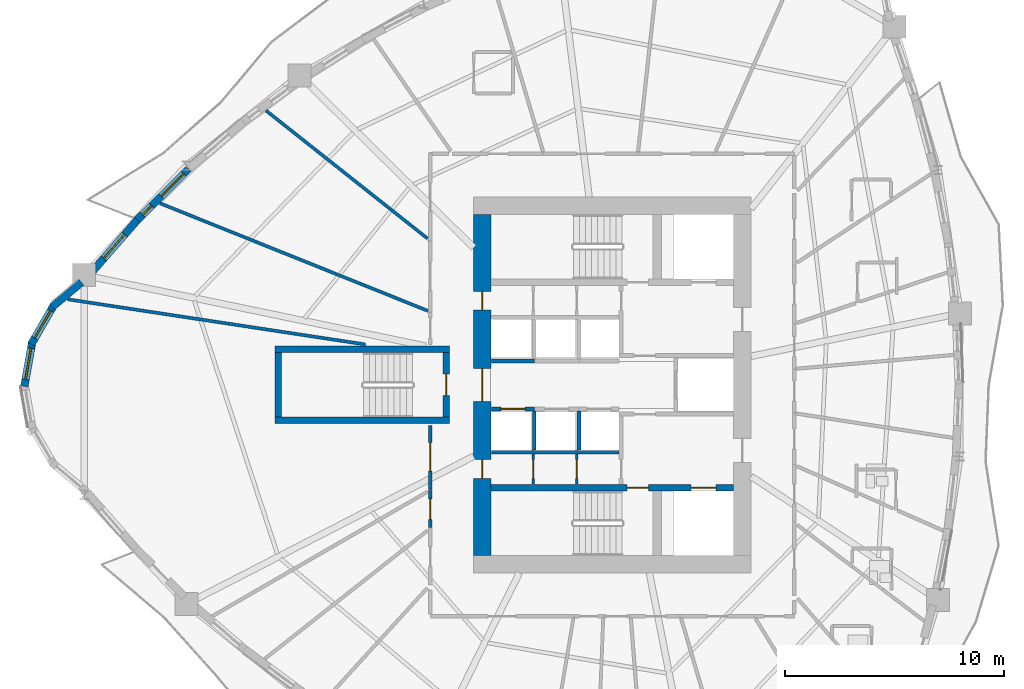
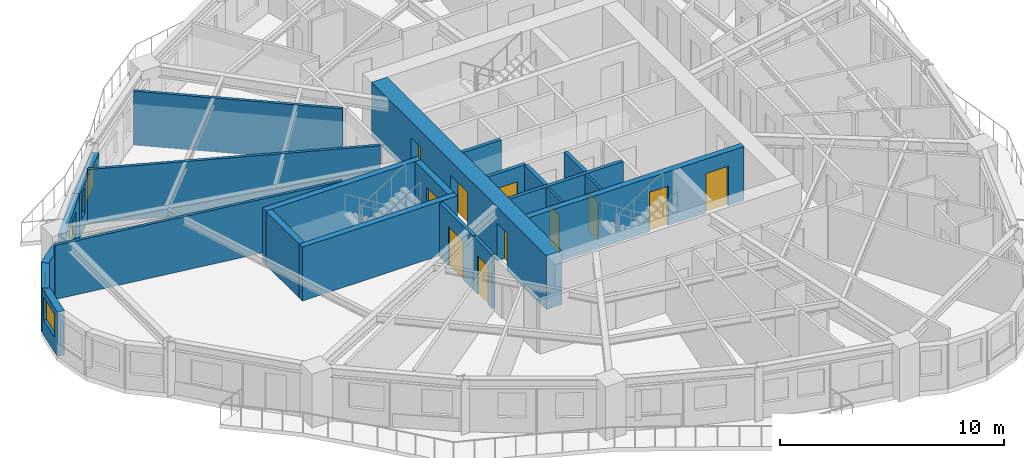
# One storey, part 4 of 13: 23 walls, 11 doors, 5 windows, 16 openings.
"""IFC4 building model written with IfcOpenShell, lengths in metres."""

from ifc_helpers import new_model, si_unit, direction, frame, frame_2d, origin, place, context, subcontext, project, spatial, rectangle, extrude, source, transform, mapped, material, layer, layer_set, type_object, element, fill, save


model = new_model("IFC4")

# Units and contexts
model_context = context("Model", 3, precision=1e-05, world=origin(), true_north=direction((0.0, 1.0)))
body_context = subcontext(model_context, "Body", "Model", "MODEL_VIEW")
ifc_project = project(units=[si_unit("LENGTHUNIT", "METRE"), si_unit("AREAUNIT", "SQUARE_METRE"), si_unit("VOLUMEUNIT", "CUBIC_METRE"), si_unit("PLANEANGLEUNIT", "RADIAN"), si_unit("MASSUNIT", "GRAM", prefix="KILO")], contexts=[model_context])

# Site, building, storey
site_placement = place(None, origin())
site = spatial("IfcSite", under=ifc_project, at=site_placement, CompositionType="ELEMENT")
building_placement = place(site_placement, origin())
building = spatial("IfcBuilding", under=site, at=building_placement, Name="Qafzar Sky-Pleat Residences", CompositionType="ELEMENT")
storey_placement = place(building_placement, frame((0.0, 0.0, 55.800048828125)))
storey = spatial("IfcBuildingStorey", under=building, at=storey_placement, Name="L16", CompositionType="ELEMENT", Elevation=55.800048828125)

# Wall, opening, door
ifc_material_1 = material(Name="Acoustic gypsum plasterboard partition", Category="gypsum")
ifc_layer_1 = layer(ifc_material_1, 0.159912109375)
ifc_layer_set_1 = layer_set([ifc_layer_1], Name="Acoustic gypsum plasterboard partition")
wall_type_1 = type_object("IfcWallType", Name="PART-COR-160", PredefinedType="PARTITIONING", material=ifc_layer_set_1)
wall_1_placement = place(storey_placement, frame((22.02001953125, 21.16796875, 0.0), z_axis=(0.0, 0.0, 1.0), x_axis=(0.0, 1.0, 0.0)))
wall_1 = element("IfcWall", 1, at=wall_1_placement, inside=storey, type_object=wall_type_1, Name="L16 Partition Wall PART-L16-PW-011", PredefinedType="PARTITIONING", context=body_context, shape_type="SweptSolid", body=[
    extrude(rectangle(XDim=2.98193359375, YDim=0.159912109375, at=frame_2d((1.490966796875, 0.0))), origin(), (0.0, 0.0, 1.0), 2.93994140625),
])
opening_1_placement = place(wall_1_placement, frame((0.887451171875, 0.0, 0.0)))
opening_1 = element("IfcOpeningElement", 2, at=opening_1_placement, cuts=wall_1, Name="Opening ID-05", PredefinedType="OPENING", context=body_context, shape_type="SweptSolid", body=[
    extrude(rectangle(XDim=1.300048828125, YDim=2.10009765625, at=frame_2d((0.64990234375, 1.050048828125))), frame((0.0, 0.08984375, 0.0), z_axis=(0.0, -1.0, 0.0), x_axis=(1.0, 0.0, 0.0)), (0.0, 0.0, 1.0), 0.179931640625),
])
ifc_material_2 = material(Name="Timber-faced fire door", Category="wood")
door_type_1 = type_object("IfcDoorType", Name="DR-LNG-1300", OperationType="DOUBLE_DOOR_SINGLE_SWING", PredefinedType="DOOR", material=ifc_material_2)
shared_shape_1 = source(origin(), body_context, "Body", "SweptSolid", [
    extrude(rectangle(XDim=1.300048828125, YDim=2.10009765625, at=frame_2d((0.64990234375, 1.050048828125))), frame((0.0, 0.02490234375, 0.0), z_axis=(0.0, -1.0, 0.0), x_axis=(1.0, 0.0, 0.0)), (0.0, 0.0, 1.0), 0.050048828125),
])
door_1_placement = place(opening_1_placement, origin())
door_1 = element("IfcDoor", 3, at=door_1_placement, inside=storey, type_object=door_type_1, Name="L16 Academic Seminar Room Door", OperationType="DOUBLE_DOOR_SINGLE_SWING", OverallHeight=2.10009765625, OverallWidth=1.300048828125, PredefinedType="DOOR", context=body_context, shape_type="MappedRepresentation", body=[
    mapped(shared_shape_1, transform((0.0, 0.0, 0.0), x_axis=(1.0, 0.0, 0.0), y_axis=(0.0, 1.0, 0.0), z_axis=(0.0, 0.0, 1.0), scale=1.0)),
])
fill(opening_1, door_1)

wall_2_placement = place(storey_placement, frame((22.02001953125, 19.470947265625, 0.0), z_axis=(0.0, 0.0, 1.0), x_axis=(0.0, 1.0, 0.0)))
wall_2 = element("IfcWall", 4, at=wall_2_placement, inside=storey, type_object=wall_type_1, Name="L16 Partition Wall PART-L16-PW-028", PredefinedType="PARTITIONING", context=body_context, shape_type="SweptSolid", body=[
    extrude(rectangle(XDim=1.68212890625, YDim=0.159912109375, at=frame_2d((0.841064453125, 0.0))), origin(), (0.0, 0.0, 1.0), 2.93994140625),
])
opening_2_placement = place(wall_2_placement, frame((0.3798828125, 0.0, 0.0)))
opening_2 = element("IfcOpeningElement", 5, at=opening_2_placement, cuts=wall_2, Name="Opening ID-04", PredefinedType="OPENING", context=body_context, shape_type="SweptSolid", body=[
    extrude(rectangle(XDim=0.919921875, YDim=2.10009765625, at=frame_2d((0.4599609375, 1.050048828125))), frame((0.0, 0.08984375, 0.0), z_axis=(0.0, -1.0, 0.0), x_axis=(1.0, 0.0, 0.0)), (0.0, 0.0, 1.0), 0.179931640625),
])
door_type_2 = type_object("IfcDoorType", Name="DR-BED-920", OperationType="NOTDEFINED", PredefinedType="DOOR", material=ifc_material_2)
shared_shape_2 = source(origin(), body_context, "Body", "SweptSolid", [
    extrude(rectangle(XDim=0.919921875, YDim=2.10009765625, at=frame_2d((0.4599609375, 1.050048828125))), frame((0.0, 0.02490234375, 0.0), z_axis=(0.0, -1.0, 0.0), x_axis=(1.0, 0.0, 0.0)), (0.0, 0.0, 1.0), 0.050048828125),
])
door_2_placement = place(opening_2_placement, origin())
door_2 = element("IfcDoor", 6, at=door_2_placement, inside=storey, type_object=door_type_2, Name="L16 Co-Living Bedroom 10 Door", OperationType="SINGLE_SWING_RIGHT", OverallHeight=2.10009765625, OverallWidth=0.919921875, PredefinedType="DOOR", context=body_context, shape_type="MappedRepresentation", body=[
    mapped(shared_shape_2, transform((0.0, 0.0, 0.0), x_axis=(1.0, 0.0, 0.0), y_axis=(0.0, 1.0, 0.0), z_axis=(0.0, 0.0, 1.0), scale=1.0)),
])
fill(opening_2, door_2)

# Wall
ifc_material_3 = material(Name="Concrete blockwork partition", Category="masonry")
ifc_layer_2 = layer(ifc_material_3, 0.179931640625)
ifc_layer_set_2 = layer_set([ifc_layer_2], Name="Concrete blockwork partition")
wall_type_2 = type_object("IfcWallType", Name="PART-SHAFT-180", PredefinedType="PARTITIONING", material=ifc_layer_set_2)
wall_3_placement = place(storey_placement, frame((24.81005859375, 22.919921875, 0.0), z_axis=(0.0, 0.0, 1.0), x_axis=(1.0, 0.0, 0.0)))
element("IfcWall", 7, at=wall_3_placement, inside=storey, type_object=wall_type_2, Name="L16 Partition Wall PART-L16-P13-S", PredefinedType="PARTITIONING", context=body_context, shape_type="SweptSolid", body=[
    extrude(rectangle(XDim=5.83984375, YDim=0.179931640625, at=frame_2d((2.919921875, 0.0))), origin(), (0.0, 0.0, 1.0), 2.93994140625),
])

# Wall, opening, door
wall_4_placement = place(storey_placement, frame((24.81005859375, 24.89990234375, 0.0), z_axis=(0.0, 0.0, 1.0), x_axis=(1.0, 0.0, 0.0)))
wall_4 = element("IfcWall", 8, at=wall_4_placement, inside=storey, type_object=wall_type_2, Name="L16 Partition Wall PART-L16-P1-N", PredefinedType="PARTITIONING", context=body_context, shape_type="SweptSolid", body=[
    extrude(rectangle(XDim=1.96484375, YDim=0.179931640625, at=frame_2d((0.982421875, 0.0))), origin(), (0.0, 0.0, 1.0), 2.93994140625),
])
opening_3_placement = place(wall_4_placement, frame((0.4326171875, 0.0, 0.0)))
opening_3 = element("IfcOpeningElement", 9, at=opening_3_placement, cuts=wall_4, Name="Opening LD-01", PredefinedType="OPENING", context=body_context, shape_type="SweptSolid", body=[
    extrude(rectangle(XDim=1.10009765625, YDim=2.14990234375, at=frame_2d((0.550048828125, 1.074951171875))), frame((0.0, 0.10009765625, 0.0), z_axis=(0.0, -1.0, 0.0), x_axis=(1.0, 0.0, 0.0)), (0.0, 0.0, 1.0), 0.199951171875),
])
ifc_material_4 = material(Name="Stainless steel sliding landing door", Category="steel")
door_type_3 = type_object("IfcDoorType", Name="DR-LIFT-P", OperationType="DOUBLE_DOOR_SLIDING", PredefinedType="DOOR", material=ifc_material_4)
shared_shape_3 = source(origin(), body_context, "Body", "SweptSolid", [
    extrude(rectangle(XDim=1.10009765625, YDim=2.14990234375, at=frame_2d((0.550048828125, 1.074951171875))), frame((0.0, 0.02490234375, 0.0), z_axis=(0.0, -1.0, 0.0), x_axis=(1.0, 0.0, 0.0)), (0.0, 0.0, 1.0), 0.050048828125),
])
door_3_placement = place(opening_3_placement, origin())
door_3 = element("IfcDoor", 10, at=door_3_placement, inside=storey, type_object=door_type_3, Name="L16 Passenger Lift P1 Landing Door", OperationType="DOUBLE_DOOR_SLIDING", OverallHeight=2.14990234375, OverallWidth=1.10009765625, PredefinedType="DOOR", context=body_context, shape_type="MappedRepresentation", body=[
    mapped(shared_shape_3, transform((0.0, 0.0, 0.0), x_axis=(1.0, 0.0, 0.0), y_axis=(0.0, 1.0, 0.0), z_axis=(0.0, 0.0, 1.0), scale=1.0)),
])
fill(opening_3, door_3)

# Walls
for number, where, z_axis, x_axis, name in (
    (11, (26.77490234375, 23.02001953125, 0.0), (0.0, 0.0, 1.0), (0.0, 1.0, 0.0), "L16 Partition Wall PART-L16-P13-DIV-1"),
    (12, (28.824951171875, 23.02001953125, 0.0), (0.0, 0.0, 1.0), (0.0, 1.0, 0.0), "L16 Partition Wall PART-L16-P13-DIV-2"),
):
    element("IfcWall", number, at=place(storey_placement, frame(where, z_axis=z_axis, x_axis=x_axis)), inside=storey, type_object=wall_type_2, Name=name, PredefinedType="PARTITIONING", context=body_context, shape_type="SweptSolid", body=[
        extrude(rectangle(XDim=1.780029296875, YDim=0.179931640625, at=frame_2d((0.89013671875, 0.0))), origin(), (0.0, 0.0, 1.0), 2.93994140625),
    ])
wall_5_placement = place(storey_placement, frame((24.81005859375, 27.10009765625, 0.0), z_axis=(0.0, 0.0, 1.0), x_axis=(1.0, 0.0, 0.0)))
element("IfcWall", 13, at=wall_5_placement, inside=storey, type_object=wall_type_2, Name="L16 Partition Wall PART-L16-P4-S", PredefinedType="PARTITIONING", context=body_context, shape_type="SweptSolid", body=[
    extrude(rectangle(XDim=1.96484375, YDim=0.179931640625, at=frame_2d((0.982421875, 0.0))), origin(), (0.0, 0.0, 1.0), 2.93994140625),
])

# Wall, opening, door
ifc_material_5 = material(Name="Gypsum plasterboard partition", Category="gypsum")
ifc_layer_3 = layer(ifc_material_5, 0.114990234375)
ifc_layer_set_3 = layer_set([ifc_layer_3], Name="Gypsum plasterboard partition")
wall_type_3 = type_object("IfcWallType", Name="PART-SVC-115", PredefinedType="PARTITIONING", material=ifc_layer_set_3)
wall_6_placement = place(storey_placement, frame((26.72509765625, 21.4599609375, 0.0), z_axis=(0.0, 0.0, 1.0), x_axis=(0.0, 1.0, 0.0)))
wall_6 = element("IfcWall", 14, at=wall_6_placement, inside=storey, type_object=wall_type_3, Name="L16 Partition Wall PART-L16-KC-SW-1", PredefinedType="PARTITIONING", context=body_context, shape_type="SweptSolid", body=[
    extrude(rectangle(XDim=1.380126953125, YDim=0.114990234375, at=frame_2d((0.68994140625, 0.0))), origin(), (0.0, 0.0, 1.0), 2.93994140625),
])
opening_4_placement = place(wall_6_placement, frame((0.260009765625, 0.0, 0.0)))
opening_4 = element("IfcOpeningElement", 15, at=opening_4_placement, cuts=wall_6, Name="Opening ID-09", PredefinedType="OPENING", context=body_context, shape_type="SweptSolid", body=[
    extrude(rectangle(XDim=0.860107421875, YDim=2.050048828125, at=frame_2d((0.43017578125, 1.02490234375))), frame((0.0, 0.0673828125, 0.0), z_axis=(0.0, -1.0, 0.0), x_axis=(1.0, 0.0, 0.0)), (0.0, 0.0, 1.0), 0.135009765625),
])
door_type_4 = type_object("IfcDoorType", Name="DR-SVC-860", OperationType="NOTDEFINED", PredefinedType="DOOR", material=ifc_material_2)
shared_shape_4 = source(origin(), body_context, "Body", "SweptSolid", [
    extrude(rectangle(XDim=0.860107421875, YDim=2.050048828125, at=frame_2d((0.43017578125, 1.02490234375))), frame((0.0, 0.02490234375, 0.0), z_axis=(0.0, -1.0, 0.0), x_axis=(1.0, 0.0, 0.0)), (0.0, 0.0, 1.0), 0.050048828125),
])
door_4_placement = place(opening_4_placement, origin())
door_4 = element("IfcDoor", 16, at=door_4_placement, inside=storey, type_object=door_type_4, Name="L16 Core South Cupboard 1 Door", OperationType="SINGLE_SWING_LEFT", OverallHeight=2.050048828125, OverallWidth=0.860107421875, PredefinedType="DOOR", context=body_context, shape_type="MappedRepresentation", body=[
    mapped(shared_shape_4, transform((0.0, 0.0, 0.0), x_axis=(1.0, 0.0, 0.0), y_axis=(0.0, 1.0, 0.0), z_axis=(0.0, 0.0, 1.0), scale=1.0)),
])
fill(opening_4, door_4)

wall_7_placement = place(storey_placement, frame((28.72509765625, 21.4599609375, 0.0), z_axis=(0.0, 0.0, 1.0), x_axis=(0.0, 1.0, 0.0)))
wall_7 = element("IfcWall", 17, at=wall_7_placement, inside=storey, type_object=wall_type_3, Name="L16 Partition Wall PART-L16-KC-SW-2", PredefinedType="PARTITIONING", context=body_context, shape_type="SweptSolid", body=[
    extrude(rectangle(XDim=1.380126953125, YDim=0.114990234375, at=frame_2d((0.68994140625, 0.0))), origin(), (0.0, 0.0, 1.0), 2.93994140625),
])
opening_5_placement = place(wall_7_placement, frame((0.260009765625, 0.0, 0.0)))
opening_5 = element("IfcOpeningElement", 18, at=opening_5_placement, cuts=wall_7, Name="Opening ID-09", PredefinedType="OPENING", context=body_context, shape_type="SweptSolid", body=[
    extrude(rectangle(XDim=0.860107421875, YDim=2.050048828125, at=frame_2d((0.43017578125, 1.02490234375))), frame((0.0, 0.0673828125, 0.0), z_axis=(0.0, -1.0, 0.0), x_axis=(1.0, 0.0, 0.0)), (0.0, 0.0, 1.0), 0.135009765625),
])
door_5_placement = place(opening_5_placement, origin())
door_5 = element("IfcDoor", 19, at=door_5_placement, inside=storey, type_object=door_type_4, Name="L16 Core South Cupboard 2 Door", OperationType="SINGLE_SWING_LEFT", OverallHeight=2.050048828125, OverallWidth=0.860107421875, PredefinedType="DOOR", context=body_context, shape_type="MappedRepresentation", body=[
    mapped(shared_shape_4, transform((0.0, 0.0, 0.0), x_axis=(1.0, 0.0, 0.0), y_axis=(0.0, 1.0, 0.0), z_axis=(0.0, 0.0, 1.0), scale=1.0)),
])
fill(opening_5, door_5)

# Walls
ifc_layer_4 = layer(ifc_material_1, 0.14501953125)
ifc_layer_set_4 = layer_set([ifc_layer_4], Name="Acoustic gypsum plasterboard partition")
wall_type_4 = type_object("IfcWallType", Name="PART-UNIT-145", PredefinedType="PARTITIONING", material=ifc_layer_set_4)
wall_8_placement = place(storey_placement, frame((5.4169921875, 29.918212890625, 0.0), z_axis=(0.0, 0.0, 1.0), x_axis=(0.98869499802, -0.149940657898, 0.0)))
element("IfcWall", 20, at=wall_8_placement, inside=storey, type_object=wall_type_4, Name="L16 Partition Wall PART-L16-PW-032", PredefinedType="PARTITIONING", context=body_context, shape_type="SweptSolid", body=[
    extrude(rectangle(XDim=13.79296875, YDim=0.14501953125, at=frame_2d((6.896484375, 0.0))), origin(), (0.0, 0.0, 1.0), 2.93994140625),
])
wall_9_placement = place(storey_placement, frame((9.64599609375, 34.3115234375, 0.0), z_axis=(0.0, 0.0, 1.0), x_axis=(0.928010757454, -0.372553397581, 0.0)))
element("IfcWall", 21, at=wall_9_placement, inside=storey, type_object=wall_type_4, Name="L16 Partition Wall PART-L16-PW-033", PredefinedType="PARTITIONING", context=body_context, shape_type="SweptSolid", body=[
    extrude(rectangle(XDim=13.21044921875, YDim=0.14501953125, at=frame_2d((6.605224609375, 0.0))), origin(), (0.0, 0.0, 1.0), 2.93994140625),
])
wall_10_placement = place(storey_placement, frame((14.493896484375, 38.558349609375, 0.0), z_axis=(0.0, 0.0, 1.0), x_axis=(0.783879440631, -0.620913055552, 0.0)))
element("IfcWall", 22, at=wall_10_placement, inside=storey, type_object=wall_type_4, Name="L16 Partition Wall PART-L16-PW-040", PredefinedType="PARTITIONING", context=body_context, shape_type="SweptSolid", body=[
    extrude(rectangle(XDim=9.43359375, YDim=0.14501953125, at=frame_2d((4.716796875, 0.0))), origin(), (0.0, 0.0, 1.0), 2.93994140625),
])
ifc_material_6 = material(Name="Precast concrete C40/50 with honed Riyadh limestone", Category="concrete")
ifc_layer_5 = layer(ifc_material_6, 0.35009765625)
ifc_layer_set_5 = layer_set([ifc_layer_5], Name="Precast concrete C40/50 with honed Riyadh limestone")
wall_type_5 = type_object("IfcWallType", Name="WALL-EXT-350", PredefinedType="SOLIDWALL", material=ifc_layer_set_5)
wall_11_placement = place(storey_placement, frame((6.0576171875, 30.696044921875, 0.0), z_axis=(0.0, 0.0, 1.0), x_axis=(-0.766001205563, -0.64283913468, 0.0)))
element("IfcWall", 23, at=wall_11_placement, inside=storey, type_object=wall_type_5, Name="L16 Limestone Facade Wall 1", PredefinedType="SOLIDWALL", context=body_context, shape_type="SweptSolid", body=[
    extrude(rectangle(XDim=1.75244140625, YDim=0.35009765625, at=frame_2d((0.876220703125, 0.0))), origin(), (0.0, 0.0, 1.0), 2.419921875),
])

# Wall, opening, window
wall_12_placement = place(storey_placement, frame((4.802490234375, 29.673583984375, 0.0), z_axis=(0.0, 0.0, 1.0), x_axis=(-0.499995423472, -0.866028046028, 0.0)))
wall_12 = element("IfcWall", 24, at=wall_12_placement, inside=storey, type_object=wall_type_5, Name="L16 Limestone Facade Wall 2", PredefinedType="SOLIDWALL", context=body_context, shape_type="SweptSolid", body=[
    extrude(rectangle(XDim=2.09033203125, YDim=0.35009765625, at=frame_2d((1.045166015625, 0.0))), origin(), (0.0, 0.0, 1.0), 2.419921875),
])
opening_6_placement = place(wall_12_placement, frame((0.3203125, 0.0, 0.820068359375)))
opening_6 = element("IfcOpeningElement", 25, at=opening_6_placement, cuts=wall_12, Name="Opening WN-15", PredefinedType="OPENING", context=body_context, shape_type="SweptSolid", body=[
    extrude(rectangle(XDim=1.449951171875, YDim=1.25, at=frame_2d((0.72509765625, 0.625))), frame((0.0, 0.18505859375, 0.0), z_axis=(0.0, -1.0, 0.0), x_axis=(1.0, 0.0, 0.0)), (0.0, 0.0, 1.0), 0.3701171875),
])
ifc_material_7 = material(Name="Solar-control low-E glass in bronze aluminium frame", Category="glass")
window_type_1 = type_object("IfcWindowType", Name="WIN-15", PartitioningType="SINGLE_PANEL", PredefinedType="WINDOW", material=ifc_material_7)
shared_shape_5 = source(origin(), body_context, "Body", "SweptSolid", [
    extrude(rectangle(XDim=1.449951171875, YDim=1.25, at=frame_2d((0.72509765625, 0.625))), frame((0.0, 0.030029296875, 0.0), z_axis=(0.0, -1.0, 0.0), x_axis=(1.0, 0.0, 0.0)), (0.0, 0.0, 1.0), 0.06005859375),
])
window_1_placement = place(opening_6_placement, origin())
window_1 = element("IfcWindow", 26, at=window_1_placement, inside=storey, type_object=window_type_1, Name="L16 Punched Facade Window 02", OverallHeight=1.25, OverallWidth=1.449951171875, PartitioningType="SINGLE_PANEL", PredefinedType="WINDOW", context=body_context, shape_type="MappedRepresentation", body=[
    mapped(shared_shape_5, transform((0.0, 0.0, 0.0), x_axis=(1.0, 0.0, 0.0), y_axis=(0.0, 1.0, 0.0), z_axis=(0.0, 0.0, 1.0), scale=1.0)),
])
fill(opening_6, window_1)

wall_13_placement = place(storey_placement, frame((3.8037109375, 27.99072265625, 0.0), z_axis=(0.0, 0.0, 1.0), x_axis=(-0.173672066494, -0.984803540469, 0.0)))
wall_13 = element("IfcWall", 27, at=wall_13_placement, inside=storey, type_object=wall_type_5, Name="L16 Limestone Facade Wall 3", PredefinedType="SOLIDWALL", context=body_context, shape_type="SweptSolid", body=[
    extrude(rectangle(XDim=2.09033203125, YDim=0.35009765625, at=frame_2d((1.045166015625, 0.0))), origin(), (0.0, 0.0, 1.0), 2.419921875),
])
opening_7_placement = place(wall_13_placement, frame((0.3203125, 0.0, 0.820068359375)))
opening_7 = element("IfcOpeningElement", 28, at=opening_7_placement, cuts=wall_13, Name="Opening WN-15", PredefinedType="OPENING", context=body_context, shape_type="SweptSolid", body=[
    extrude(rectangle(XDim=1.449951171875, YDim=1.25, at=frame_2d((0.72509765625, 0.625))), frame((0.0, 0.18505859375, 0.0), z_axis=(0.0, -1.0, 0.0), x_axis=(1.0, 0.0, 0.0)), (0.0, 0.0, 1.0), 0.3701171875),
])
window_2_placement = place(opening_7_placement, origin())
window_2 = element("IfcWindow", 29, at=window_2_placement, inside=storey, type_object=window_type_1, Name="L16 Punched Facade Window 03", OverallHeight=1.25, OverallWidth=1.449951171875, PartitioningType="SINGLE_PANEL", PredefinedType="WINDOW", context=body_context, shape_type="MappedRepresentation", body=[
    mapped(shared_shape_5, transform((0.0, 0.0, 0.0), x_axis=(1.0, 0.0, 0.0), y_axis=(0.0, 1.0, 0.0), z_axis=(0.0, 0.0, 1.0), scale=1.0)),
])
fill(opening_7, window_2)

# Wall, openings, windows
wall_14_placement = place(storey_placement, frame((10.96533203125, 35.888671875, 0.0), z_axis=(0.0, 0.0, 1.0), x_axis=(-0.708394377581, -0.70581683588, 0.0)))
wall_14 = element("IfcWall", 30, at=wall_14_placement, inside=storey, type_object=wall_type_5, Name="L16 Limestone Facade Wall 47", PredefinedType="SOLIDWALL", context=body_context, shape_type="SweptSolid", body=[
    extrude(rectangle(XDim=3.409912109375, YDim=0.35009765625, at=frame_2d((1.705078125, 0.0))), origin(), (0.0, 0.0, 1.0), 2.419921875),
])
opening_8_placement = place(wall_14_placement, frame((0.333251953125, 0.0, 0.820068359375)))
opening_8 = element("IfcOpeningElement", 31, at=opening_8_placement, cuts=wall_14, Name="Opening WN-15", PredefinedType="OPENING", context=body_context, shape_type="SweptSolid", body=[
    extrude(rectangle(XDim=1.449951171875, YDim=1.25, at=frame_2d((0.72509765625, 0.625))), frame((0.0, 0.18505859375, 0.0), z_axis=(0.0, -1.0, 0.0), x_axis=(1.0, 0.0, 0.0)), (0.0, 0.0, 1.0), 0.3701171875),
])
opening_9_placement = place(wall_14_placement, frame((2.4033203125, 0.0, 0.820068359375)))
opening_9 = element("IfcOpeningElement", 32, at=opening_9_placement, cuts=wall_14, Name="Opening WN-17", PredefinedType="OPENING", context=body_context, shape_type="SweptSolid", body=[
    extrude(rectangle(XDim=0.580078125, YDim=1.35009765625, at=frame_2d((0.2900390625, 0.675048828125))), frame((0.0, 0.18505859375, 0.0), z_axis=(0.0, -1.0, 0.0), x_axis=(1.0, 0.0, 0.0)), (0.0, 0.0, 1.0), 0.3701171875),
])
window_3_placement = place(opening_8_placement, origin())
window_3 = element("IfcWindow", 33, at=window_3_placement, inside=storey, type_object=window_type_1, Name="L16 Punched Facade Window 47", OverallHeight=1.25, OverallWidth=1.449951171875, PartitioningType="SINGLE_PANEL", PredefinedType="WINDOW", context=body_context, shape_type="MappedRepresentation", body=[
    mapped(shared_shape_5, transform((0.0, 0.0, 0.0), x_axis=(1.0, 0.0, 0.0), y_axis=(0.0, 1.0, 0.0), z_axis=(0.0, 0.0, 1.0), scale=1.0)),
])
fill(opening_8, window_3)
window_type_2 = type_object("IfcWindowType", Name="WIN-17", PartitioningType="SINGLE_PANEL", PredefinedType="WINDOW", material=ifc_material_7)
shared_shape_6 = source(origin(), body_context, "Body", "SweptSolid", [
    extrude(rectangle(XDim=0.580078125, YDim=1.35009765625, at=frame_2d((0.2900390625, 0.675048828125))), frame((0.0, 0.030029296875, 0.0), z_axis=(0.0, -1.0, 0.0), x_axis=(1.0, 0.0, 0.0)), (0.0, 0.0, 1.0), 0.06005859375),
])
window_4_placement = place(opening_9_placement, origin())
window_4 = element("IfcWindow", 34, at=window_4_placement, inside=storey, type_object=window_type_2, Name="L16 Punched Facade Window 47-2", OverallHeight=1.35009765625, OverallWidth=0.580078125, PartitioningType="SINGLE_PANEL", PredefinedType="WINDOW", context=body_context, shape_type="MappedRepresentation", body=[
    mapped(shared_shape_6, transform((0.0, 0.0, 0.0), x_axis=(1.0, 0.0, 0.0), y_axis=(0.0, 1.0, 0.0), z_axis=(0.0, 0.0, 1.0), scale=1.0)),
])
fill(opening_9, window_4)

# Wall, opening, window
wall_15_placement = place(storey_placement, frame((8.610107421875, 33.54638671875, 0.0), z_axis=(0.0, 0.0, 1.0), x_axis=(-0.657608204376, -0.753360106149, 0.0)))
wall_15 = element("IfcWall", 35, at=wall_15_placement, inside=storey, type_object=wall_type_5, Name="L16 Limestone Facade Wall 48", PredefinedType="SOLIDWALL", context=body_context, shape_type="SweptSolid", body=[
    extrude(rectangle(XDim=3.202392578125, YDim=0.35009765625, at=frame_2d((1.60107421875, 0.0))), origin(), (0.0, 0.0, 1.0), 2.419921875),
])
opening_10_placement = place(wall_15_placement, frame((0.881103515625, 0.0, 0.820068359375)))
opening_10 = element("IfcOpeningElement", 36, at=opening_10_placement, cuts=wall_15, Name="Opening WN-15", PredefinedType="OPENING", context=body_context, shape_type="SweptSolid", body=[
    extrude(rectangle(XDim=1.449951171875, YDim=1.25, at=frame_2d((0.72509765625, 0.625))), frame((0.0, 0.18505859375, 0.0), z_axis=(0.0, -1.0, 0.0), x_axis=(1.0, 0.0, 0.0)), (0.0, 0.0, 1.0), 0.3701171875),
])
window_5_placement = place(opening_10_placement, origin())
window_5 = element("IfcWindow", 37, at=window_5_placement, inside=storey, type_object=window_type_1, Name="L16 Punched Facade Window 48", OverallHeight=1.25, OverallWidth=1.449951171875, PartitioningType="SINGLE_PANEL", PredefinedType="WINDOW", context=body_context, shape_type="MappedRepresentation", body=[
    mapped(shared_shape_5, transform((0.0, 0.0, 0.0), x_axis=(1.0, 0.0, 0.0), y_axis=(0.0, 1.0, 0.0), z_axis=(0.0, 0.0, 1.0), scale=1.0)),
])
fill(opening_10, window_5)

# Wall, openings, doors
ifc_material_8 = material(Name="Concrete C60/75", Category="concrete")
ifc_layer_6 = layer(ifc_material_8, 0.300048828125)
ifc_layer_set_6 = layer_set([ifc_layer_6], Name="Concrete C60/75")
wall_type_6 = type_object("IfcWallType", Name="WALL-SHEAR-300", PredefinedType="SHEAR", material=ifc_layer_set_6)
wall_16_placement = place(storey_placement, frame((24.800048828125, 21.300048828125, 0.0), z_axis=(0.0, 0.0, 1.0), x_axis=(1.0, 0.0, 0.0)))
wall_16 = element("IfcWall", 38, at=wall_16_placement, inside=storey, type_object=wall_type_6, Name="L16 Stair ST1 and FF1 Shaft North Wall", PredefinedType="SHEAR", context=body_context, shape_type="SweptSolid", body=[
    extrude(rectangle(XDim=11.099853515625, YDim=0.300048828125, at=frame_2d((5.5498046875, 0.0))), origin(), (0.0, 0.0, 1.0), 2.93994140625),
])
opening_11_placement = place(wall_16_placement, frame((6.219970703125, 0.0, 0.0)))
opening_11 = element("IfcOpeningElement", 39, at=opening_11_placement, cuts=wall_16, Name="Opening ID-01", PredefinedType="OPENING", context=body_context, shape_type="SweptSolid", body=[
    extrude(rectangle(XDim=0.97998046875, YDim=2.14990234375, at=frame_2d((0.489990234375, 1.074951171875))), frame((0.0, 0.16015625, 0.0), z_axis=(0.0, -1.0, 0.0), x_axis=(1.0, 0.0, 0.0)), (0.0, 0.0, 1.0), 0.320068359375),
])
opening_12_placement = place(wall_16_placement, frame((9.14990234375, 0.0, 0.0)))
opening_12 = element("IfcOpeningElement", 40, at=opening_12_placement, cuts=wall_16, Name="Opening LD-02", PredefinedType="OPENING", context=body_context, shape_type="SweptSolid", body=[
    extrude(rectangle(XDim=1.14990234375, YDim=2.14990234375, at=frame_2d((0.574951171875, 1.074951171875))), frame((0.0, 0.16015625, 0.0), z_axis=(0.0, -1.0, 0.0), x_axis=(1.0, 0.0, 0.0)), (0.0, 0.0, 1.0), 0.320068359375),
])
door_type_5 = type_object("IfcDoorType", Name="DR-STAIR-980", OperationType="NOTDEFINED", PredefinedType="DOOR", material=ifc_material_2)
shared_shape_7 = source(origin(), body_context, "Body", "SweptSolid", [
    extrude(rectangle(XDim=0.97998046875, YDim=2.14990234375, at=frame_2d((0.489990234375, 1.074951171875))), frame((0.0, 0.02490234375, 0.0), z_axis=(0.0, -1.0, 0.0), x_axis=(1.0, 0.0, 0.0)), (0.0, 0.0, 1.0), 0.050048828125),
])
door_6_placement = place(opening_11_placement, origin())
door_6 = element("IfcDoor", 41, at=door_6_placement, inside=storey, type_object=door_type_5, Name="L16 Stair ST1 Fire Door", OperationType="SINGLE_SWING_RIGHT", OverallHeight=2.14990234375, OverallWidth=0.97998046875, PredefinedType="DOOR", context=body_context, shape_type="MappedRepresentation", body=[
    mapped(shared_shape_7, transform((0.0, 0.0, 0.0), x_axis=(1.0, 0.0, 0.0), y_axis=(0.0, 1.0, 0.0), z_axis=(0.0, 0.0, 1.0), scale=1.0)),
])
fill(opening_11, door_6)
door_type_6 = type_object("IfcDoorType", Name="DR-LIFT-FF", OperationType="DOUBLE_DOOR_SLIDING", PredefinedType="DOOR", material=ifc_material_4)
shared_shape_8 = source(origin(), body_context, "Body", "SweptSolid", [
    extrude(rectangle(XDim=1.14990234375, YDim=2.14990234375, at=frame_2d((0.574951171875, 1.074951171875))), frame((0.0, 0.02490234375, 0.0), z_axis=(0.0, -1.0, 0.0), x_axis=(1.0, 0.0, 0.0)), (0.0, 0.0, 1.0), 0.050048828125),
])
door_7_placement = place(opening_12_placement, origin())
door_7 = element("IfcDoor", 42, at=door_7_placement, inside=storey, type_object=door_type_6, Name="L16 Firefighting Lift FF1 Landing Door", OperationType="DOUBLE_DOOR_SLIDING", OverallHeight=2.14990234375, OverallWidth=1.14990234375, PredefinedType="DOOR", context=body_context, shape_type="MappedRepresentation", body=[
    mapped(shared_shape_8, transform((0.0, 0.0, 0.0), x_axis=(1.0, 0.0, 0.0), y_axis=(0.0, 1.0, 0.0), z_axis=(0.0, 0.0, 1.0), scale=1.0)),
])
fill(opening_12, door_7)

# Walls
for number, where, z_axis, x_axis, name in (
    (43, (14.89990234375, 24.375, 0.0), (0.0, 0.0, 1.0), (1.0, 0.0, 0.0), "L16 ST3 wall S"),
    (44, (22.89990234375, 27.625, 0.0), (0.0, 0.0, 1.0), (-1.0, 0.0, 0.0), "L16 ST3 wall N"),
):
    element("IfcWall", number, at=place(storey_placement, frame(where, z_axis=z_axis, x_axis=x_axis)), inside=storey, type_object=wall_type_6, Name=name, PredefinedType="SHEAR", context=body_context, shape_type="SweptSolid", body=[
        extrude(rectangle(XDim=8.0, YDim=0.300048828125, at=frame_2d((4.0, 0.0))), origin(), (0.0, 0.0, 1.0), 2.93994140625),
    ])
wall_17_placement = place(storey_placement, frame((15.050048828125, 27.47509765625, 0.0), z_axis=(0.0, 0.0, 1.0), x_axis=(0.0, -1.0, 0.0)))
element("IfcWall", 45, at=wall_17_placement, inside=storey, type_object=wall_type_6, Name="L16 ST3 wall W", PredefinedType="SHEAR", context=body_context, shape_type="SweptSolid", body=[
    extrude(rectangle(XDim=2.9501953125, YDim=0.300048828125, at=frame_2d((1.47509765625, 0.0))), origin(), (0.0, 0.0, 1.0), 2.93994140625),
])

# Wall, opening, door
wall_18_placement = place(storey_placement, frame((22.75, 24.52490234375, 0.0), z_axis=(0.0, 0.0, 1.0), x_axis=(0.0, 1.0, 0.0)))
wall_18 = element("IfcWall", 46, at=wall_18_placement, inside=storey, type_object=wall_type_6, Name="L16 ST3 wall E", PredefinedType="SHEAR", context=body_context, shape_type="SweptSolid", body=[
    extrude(rectangle(XDim=2.9501953125, YDim=0.300048828125, at=frame_2d((1.47509765625, 0.0))), origin(), (0.0, 0.0, 1.0), 2.93994140625),
])
opening_13_placement = place(wall_18_placement, frame((0.985107421875, 0.0, 0.0)))
opening_13 = element("IfcOpeningElement", 47, at=opening_13_placement, cuts=wall_18, Name="Opening ID-01", PredefinedType="OPENING", context=body_context, shape_type="SweptSolid", body=[
    extrude(rectangle(XDim=0.97998046875, YDim=2.14990234375, at=frame_2d((0.489990234375, 1.074951171875))), frame((0.0, 0.16015625, 0.0), z_axis=(0.0, -1.0, 0.0), x_axis=(1.0, 0.0, 0.0)), (0.0, 0.0, 1.0), 0.320068359375),
])
door_8_placement = place(opening_13_placement, origin())
door_8 = element("IfcDoor", 48, at=door_8_placement, inside=storey, type_object=door_type_5, Name="L16 Stair ST3 Fire Door", OperationType="SINGLE_SWING_RIGHT", OverallHeight=2.14990234375, OverallWidth=0.97998046875, PredefinedType="DOOR", context=body_context, shape_type="MappedRepresentation", body=[
    mapped(shared_shape_7, transform((0.0, 0.0, 0.0), x_axis=(1.0, 0.0, 0.0), y_axis=(0.0, 1.0, 0.0), z_axis=(0.0, 0.0, 1.0), scale=1.0)),
])
fill(opening_13, door_8)

# Wall, openings, doors
ifc_layer_7 = layer(ifc_material_8, 0.800048828125)
ifc_layer_set_7 = layer_set([ifc_layer_7], Name="Concrete C60/75")
wall_type_7 = type_object("IfcWallType", Name="WALL-SHEAR-800", PredefinedType="SHEAR", material=ifc_layer_set_7)
wall_19_placement = place(storey_placement, frame((24.39990234375, 33.800048828125, 0.0), z_axis=(0.0, 0.0, 1.0), x_axis=(0.0, -1.0, 0.0)))
wall_19 = element("IfcWall", 49, at=wall_19_placement, inside=storey, type_object=wall_type_7, Name="L16 CORE wall W", PredefinedType="SHEAR", context=body_context, shape_type="SweptSolid", body=[
    extrude(rectangle(XDim=15.60009765625, YDim=0.800048828125, at=frame_2d((7.800048828125, 0.0))), origin(), (0.0, 0.0, 1.0), 2.93994140625),
])
opening_14_placement = place(wall_19_placement, frame((7.050048828125, 0.0, 0.0)))
opening_14 = element("IfcOpeningElement", 50, at=opening_14_placement, cuts=wall_19, Name="Opening ID-03", PredefinedType="OPENING", context=body_context, shape_type="SweptSolid", body=[
    extrude(rectangle(XDim=1.5, YDim=2.14990234375, at=frame_2d((0.75, 1.074951171875))), frame((0.0, 0.41015625, 0.0), z_axis=(0.0, -1.0, 0.0), x_axis=(1.0, 0.0, 0.0)), (0.0, 0.0, 1.0), 0.820068359375),
])
opening_15_placement = place(wall_19_placement, frame((3.52001953125, 0.0, 0.0)))
opening_15 = element("IfcOpeningElement", 51, at=opening_15_placement, cuts=wall_19, Name="Opening ID-09", PredefinedType="OPENING", context=body_context, shape_type="SweptSolid", body=[
    extrude(rectangle(XDim=0.860107421875, YDim=2.050048828125, at=frame_2d((0.43017578125, 1.02490234375))), frame((0.0, 0.41015625, 0.0), z_axis=(0.0, -1.0, 0.0), x_axis=(1.0, 0.0, 0.0)), (0.0, 0.0, 1.0), 0.820068359375),
])
opening_16_placement = place(wall_19_placement, frame((11.219970703125, 0.0, 0.0)))
opening_16 = element("IfcOpeningElement", 52, at=opening_16_placement, cuts=wall_19, Name="Opening ID-09", PredefinedType="OPENING", context=body_context, shape_type="SweptSolid", body=[
    extrude(rectangle(XDim=0.860107421875, YDim=2.050048828125, at=frame_2d((0.43017578125, 1.02490234375))), frame((0.0, 0.41015625, 0.0), z_axis=(0.0, -1.0, 0.0), x_axis=(1.0, 0.0, 0.0)), (0.0, 0.0, 1.0), 0.820068359375),
])
door_type_7 = type_object("IfcDoorType", Name="DR-COR-1500", OperationType="DOUBLE_DOOR_SINGLE_SWING", PredefinedType="DOOR", material=ifc_material_2)
shared_shape_9 = source(origin(), body_context, "Body", "SweptSolid", [
    extrude(rectangle(XDim=1.5, YDim=2.14990234375, at=frame_2d((0.75, 1.074951171875))), frame((0.0, 0.02490234375, 0.0), z_axis=(0.0, -1.0, 0.0), x_axis=(1.0, 0.0, 0.0)), (0.0, 0.0, 1.0), 0.050048828125),
])
door_9_placement = place(opening_14_placement, origin())
door_9 = element("IfcDoor", 53, at=door_9_placement, inside=storey, type_object=door_type_7, Name="L16 Lift Lobby West Double Door", OperationType="DOUBLE_DOOR_SINGLE_SWING", OverallHeight=2.14990234375, OverallWidth=1.5, PredefinedType="DOOR", context=body_context, shape_type="MappedRepresentation", body=[
    mapped(shared_shape_9, transform((0.0, 0.0, 0.0), x_axis=(1.0, 0.0, 0.0), y_axis=(0.0, 1.0, 0.0), z_axis=(0.0, 0.0, 1.0), scale=1.0)),
])
fill(opening_14, door_9)
door_10_placement = place(opening_15_placement, origin())
door_10 = element("IfcDoor", 54, at=door_10_placement, inside=storey, type_object=door_type_4, Name="L16 Core North-West Service Door", OperationType="SINGLE_SWING_LEFT", OverallHeight=2.050048828125, OverallWidth=0.860107421875, PredefinedType="DOOR", context=body_context, shape_type="MappedRepresentation", body=[
    mapped(shared_shape_4, transform((0.0, 0.0, 0.0), x_axis=(1.0, 0.0, 0.0), y_axis=(0.0, 1.0, 0.0), z_axis=(0.0, 0.0, 1.0), scale=1.0)),
])
fill(opening_15, door_10)
door_11_placement = place(opening_16_placement, origin())
door_11 = element("IfcDoor", 55, at=door_11_placement, inside=storey, type_object=door_type_4, Name="L16 Core South-West Service Door", OperationType="SINGLE_SWING_RIGHT", OverallHeight=2.050048828125, OverallWidth=0.860107421875, PredefinedType="DOOR", context=body_context, shape_type="MappedRepresentation", body=[
    mapped(shared_shape_4, transform((0.0, 0.0, 0.0), x_axis=(1.0, 0.0, 0.0), y_axis=(0.0, 1.0, 0.0), z_axis=(0.0, 0.0, 1.0), scale=1.0)),
])
fill(opening_16, door_11)

save(model, "model.ifc")
